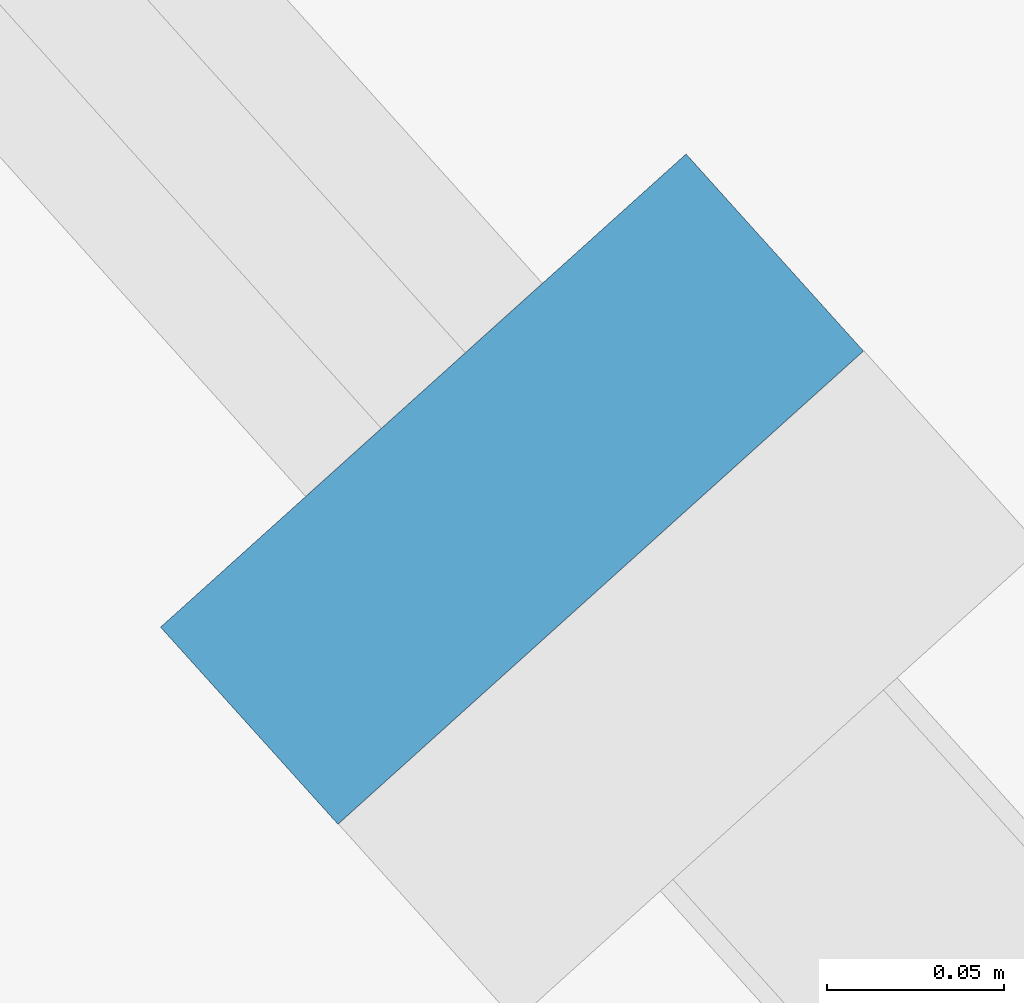
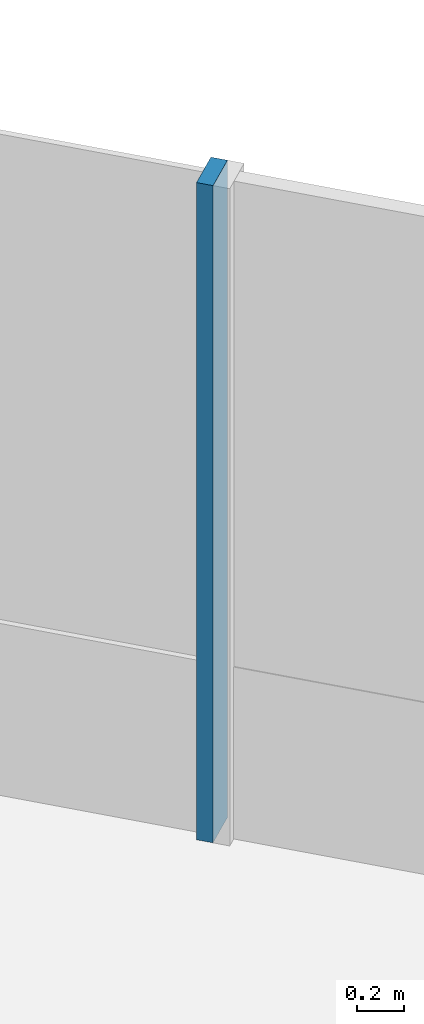
# One storey, part 8 of 15: 1 member, 1 element without a shape of its own.
"""IFC4 building model written with IfcOpenShell, lengths in metres."""

from ifc_helpers import new_model, si_unit, direction, frame, origin, origin_2d, place, context, subcontext, project, spatial, rectangle, extrude, source, transform, mapped, material, material_profile, profile_set, type_object, element, aggregate, save


model = new_model("IFC4")

# Units and contexts
model_context = context("Model", 3, precision=1e-05, world=origin(), true_north=direction((0.0, 1.0)))
body_context = subcontext(model_context, "Body", "Model", "MODEL_VIEW")
ifc_project = project(units=[si_unit("LENGTHUNIT", "METRE"), si_unit("AREAUNIT", "SQUARE_METRE"), si_unit("VOLUMEUNIT", "CUBIC_METRE"), si_unit("PLANEANGLEUNIT", "RADIAN"), si_unit("MASSUNIT", "GRAM", prefix="KILO")], contexts=[model_context])

# Site, building, storey
site_placement = place(None, origin())
site = spatial("IfcSite", under=ifc_project, at=site_placement, CompositionType="ELEMENT")
building_placement = place(site_placement, origin())
building = spatial("IfcBuilding", under=site, at=building_placement, Name="Triune Harvest Tower", CompositionType="ELEMENT")
storey_placement = place(building_placement, frame((0.0, 0.0, 277.5)))
storey = spatial("IfcBuildingStorey", under=building, at=storey_placement, Name="L73", CompositionType="ELEMENT", Elevation=277.5)

# Curtain wall, member
ifc_material_1 = material(Name="Aluminium bronze anodised", Category="aluminium")
curtain_wall_type = type_object("IfcCurtainWallType", Name="CW-1 Tower stick curtain wall", PredefinedType="NOTDEFINED", material=ifc_material_1)
curtain_wall_placement = place(storey_placement, origin())
curtain_wall = element("IfcCurtainWall", 1, at=curtain_wall_placement, inside=storey, type_object=curtain_wall_type, Name="CW-1 B7-F1 L73 run 2001")
ifc_material_2 = material(Name="Aluminium bronze anodised", Category="aluminium")
ifc_material_profile = material_profile(ifc_material_2, rectangle(XDim=0.199951171875, YDim=0.074951171875, at=origin_2d()), Name="MU-1 mullion 75 x 200")
ifc_profile_set = profile_set([ifc_material_profile], Name="Aluminium bronze anodised")
member_type = type_object("IfcMemberType", Name="MU-1 mullion 75 x 200", PredefinedType="MULLION", material=ifc_profile_set)
shared_shape = source(origin(), body_context, "Body", "SweptSolid", [
    extrude(rectangle(XDim=0.199951171875, YDim=0.074951171875, at=origin_2d()), origin(), (0.0, 0.0, 1.0), 3.43994140625),
])
member_placement = place(storey_placement, frame((7.387939453125, 20.682861328125, 0.0), z_axis=(0.0, 0.0, 1.0), x_axis=(-0.743144053222, -0.669131464034, 0.0)))
member = element("IfcMember", 2, at=member_placement, type_object=member_type, Name="CW-1 mullion B7-F1 2001.1", PredefinedType="MULLION", context=body_context, shape_type="MappedRepresentation", body=[
    mapped(shared_shape, transform((0.0, 0.0, 0.0), scale=1.0)),
])
aggregate(curtain_wall, [member])

save(model, "model.ifc")
